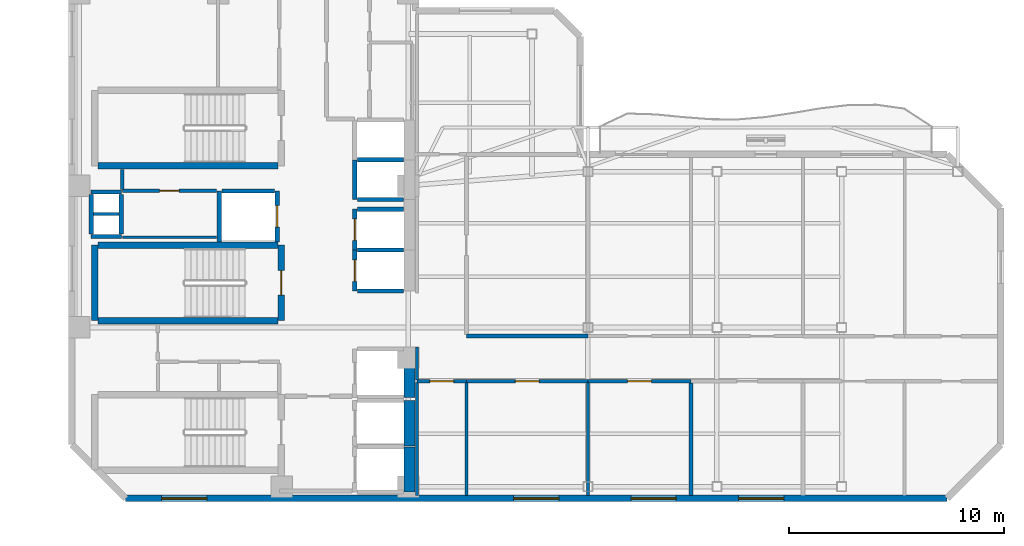
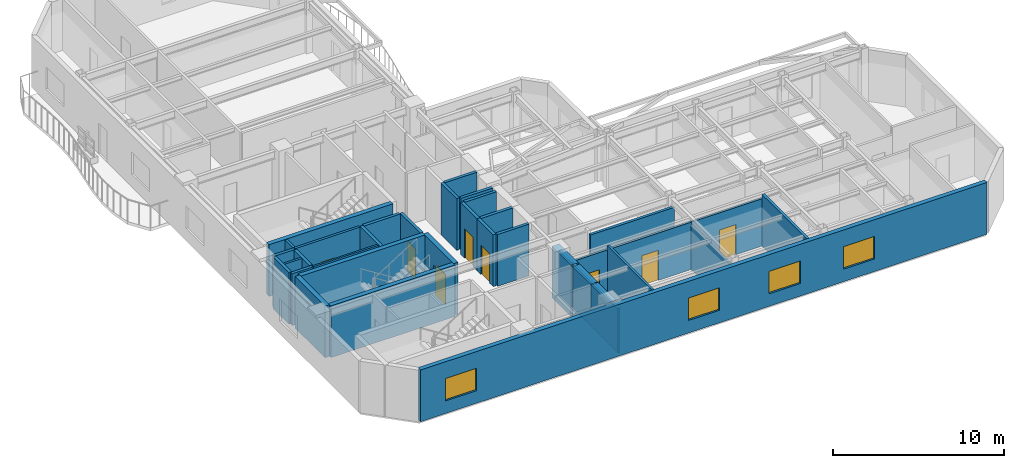
# One storey, part 3 of 9: 37 walls, 8 doors, 4 windows, 12 openings.
"""IFC4 building model written with IfcOpenShell, lengths in metres."""

from ifc_helpers import new_model, si_unit, direction, frame, frame_2d, origin, place, context, subcontext, project, spatial, rectangle, extrude, material, layer, layer_set, type_object, element, fill, save


model = new_model("IFC4")

# Units and contexts
model_context = context("Model", 3, precision=1e-05, world=origin(), true_north=direction((0.0, 1.0)))
body_context = subcontext(model_context, "Body", "Model", "MODEL_VIEW")
ifc_project = project(units=[si_unit("LENGTHUNIT", "METRE"), si_unit("AREAUNIT", "SQUARE_METRE"), si_unit("VOLUMEUNIT", "CUBIC_METRE"), si_unit("PLANEANGLEUNIT", "RADIAN"), si_unit("MASSUNIT", "GRAM", prefix="KILO")], contexts=[model_context])

# Site, building, storey
site_placement = place(None, origin())
site = spatial("IfcSite", under=ifc_project, at=site_placement, CompositionType="ELEMENT")
building_placement = place(site_placement, origin())
building = spatial("IfcBuilding", under=site, at=building_placement, Name="Mawjaban Terraces University", CompositionType="ELEMENT")
storey_placement = place(building_placement, frame((0.0, 0.0, 210.89990234375)))
storey = spatial("IfcBuildingStorey", under=building, at=storey_placement, Name="L51", CompositionType="ELEMENT", Elevation=210.89990234375)

# Walls
ifc_material_1 = material(Name="Acoustic masonry blockwork", Category="masonry")
ifc_layer_1 = layer(ifc_material_1, 0.179931640625)
ifc_layer_set_1 = layer_set([ifc_layer_1], Name="Acoustic masonry blockwork")
wall_type_1 = type_object("IfcWallType", Name="AcousticStudioWall_180", PredefinedType="PARTITIONING", material=ifc_layer_set_1)
wall_1_placement = place(storey_placement, frame((46.0, 7.550048828125, 0.0), z_axis=(0.0, 0.0, 1.0), x_axis=(-1.0, 0.0, 0.0)))
element("IfcWall", 1, at=wall_1_placement, inside=storey, type_object=wall_type_1, Name="L51 South Shifted Academic Corridor Partition 22", PredefinedType="PARTITIONING", context=body_context, shape_type="SweptSolid", body=[
    extrude(rectangle(XDim=5.64990234375, YDim=0.179931640625, at=frame_2d((2.824951171875, 0.0))), origin(), (0.0, 0.0, 1.0), 3.14599609375),
])
wall_2_placement = place(storey_placement, frame((50.7900390625, 0.14501953125, 0.0), z_axis=(0.0, 0.0, 1.0), x_axis=(0.0, 1.0, 0.0)))
element("IfcWall", 2, at=wall_2_placement, inside=storey, type_object=wall_type_1, Name="L51 Computational Laboratory 4 Partition 53", PredefinedType="PARTITIONING", context=body_context, shape_type="SweptSolid", body=[
    extrude(rectangle(XDim=5.219970703125, YDim=0.179931640625, at=frame_2d((2.60986328125, 0.0))), origin(), (0.0, 0.0, 1.0), 3.690185546875),
])
ifc_material_2 = material(Name="Concrete C60/75", Category="concrete")
ifc_layer_2 = layer(ifc_material_2, 0.5)
ifc_layer_set_2 = layer_set([ifc_layer_2], Name="Concrete C60/75")
wall_type_2 = type_object("IfcWallType", Name="CoreShearWall_500", PredefinedType="SHEAR", material=ifc_layer_set_2)
wall_3_placement = place(storey_placement, frame((37.699951171875, 0.300048828125, 0.0), z_axis=(0.0, 0.0, 1.0), x_axis=(0.0, 1.0, 0.0)))
element("IfcWall", 3, at=wall_3_placement, inside=storey, type_object=wall_type_2, Name="L51 Lift FL-1 Hoistway Wall East", PredefinedType="SHEAR", context=body_context, shape_type="SweptSolid", body=[
    extrude(rectangle(XDim=2.099853515625, YDim=0.5, at=frame_2d((1.0498046875, 0.0))), origin(), (0.0, 0.0, 1.0), 3.690185546875),
])
wall_4_placement = place(storey_placement, frame((37.699951171875, 2.449951171875, 0.0), z_axis=(0.0, 0.0, 1.0), x_axis=(0.0, 1.0, 0.0)))
element("IfcWall", 4, at=wall_4_placement, inside=storey, type_object=wall_type_2, Name="L51 Lift FL-2 Hoistway Wall East", PredefinedType="SHEAR", context=body_context, shape_type="SweptSolid", body=[
    extrude(rectangle(XDim=2.10009765625, YDim=0.5, at=frame_2d((1.050048828125, 0.0))), origin(), (0.0, 0.0, 1.0), 3.690185546875),
])
wall_5_placement = place(storey_placement, frame((37.699951171875, 4.699951171875, 0.0), z_axis=(0.0, 0.0, 1.0), x_axis=(0.0, 1.0, 0.0)))
element("IfcWall", 5, at=wall_5_placement, inside=storey, type_object=wall_type_2, Name="L51 Lift SL-1 Hoistway Wall East", PredefinedType="SHEAR", context=body_context, shape_type="SweptSolid", body=[
    extrude(rectangle(XDim=2.25, YDim=0.5, at=frame_2d((1.125, 0.0))), origin(), (0.0, 0.0, 1.0), 3.690185546875),
])

# Wall, opening, door
ifc_material_3 = material(Name="Fire-rated gypsum board on steel stud", Category="steel")
ifc_layer_3 = layer(ifc_material_3, 0.159912109375)
ifc_layer_set_3 = layer_set([ifc_layer_3], Name="Fire-rated gypsum board on steel stud")
wall_type_3 = type_object("IfcWallType", Name="CorridorPartition_160", PredefinedType="PARTITIONING", material=ifc_layer_set_3)
wall_6_placement = place(storey_placement, frame((24.35009765625, 14.300048828125, 0.0), z_axis=(0.0, 0.0, 1.0), x_axis=(1.0, 0.0, 0.0)))
wall_6 = element("IfcWall", 6, at=wall_6_placement, inside=storey, type_object=wall_type_3, Name="L51 Core Riser Access Passage Partition 2", PredefinedType="PARTITIONING", context=body_context, shape_type="SweptSolid", body=[
    extrude(rectangle(XDim=4.369873046875, YDim=0.159912109375, at=frame_2d((2.18505859375, 0.0))), origin(), (0.0, 0.0, 1.0), 3.690185546875),
])
opening_1_placement = place(wall_6_placement, frame((1.735107421875, 0.0, 0.0)))
opening_1 = element("IfcOpeningElement", 7, at=opening_1_placement, cuts=wall_6, Name="Opening ID-090", PredefinedType="OPENING", context=body_context, shape_type="SweptSolid", body=[
    extrude(rectangle(XDim=0.89990234375, YDim=2.10009765625, at=frame_2d((0.449951171875, 1.050048828125))), frame((0.0, 0.08984375, 0.0), z_axis=(0.0, -1.0, 0.0), x_axis=(1.0, 0.0, 0.0)), (0.0, 0.0, 1.0), 0.179931640625),
])
ifc_material_4 = material(Name="Powder-coated steel frame and solid acoustic timber leaf", Category="steel")
door_type_1 = type_object("IfcDoorType", Name="OfficeDoor_900x2100", OperationType="NOTDEFINED", PredefinedType="DOOR", material=ifc_material_4)
door_1_placement = place(opening_1_placement, origin())
door_1 = element("IfcDoor", 8, at=door_1_placement, inside=storey, type_object=door_type_1, Name="L51 Cleaner Store Door", OperationType="SINGLE_SWING_LEFT", OverallHeight=2.10009765625, OverallWidth=0.89990234375, PredefinedType="DOOR", context=body_context, shape_type="SweptSolid", body=[
    extrude(rectangle(XDim=0.89990234375, YDim=2.10009765625, at=frame_2d((0.449951171875, 1.050048828125))), frame((0.0, 0.02490234375, 0.0), z_axis=(0.0, -1.0, 0.0), x_axis=(1.0, 0.0, 0.0)), (0.0, 0.0, 1.0), 0.050048828125),
])
fill(opening_1, door_1)

# Walls
wall_7_placement = place(storey_placement, frame((24.35009765625, 15.2900390625, 0.0), z_axis=(0.0, 0.0, 1.0), x_axis=(0.0, -1.0, 0.0)))
element("IfcWall", 9, at=wall_7_placement, inside=storey, type_object=wall_type_3, Name="L51 Core Riser Access Passage Partition 30", PredefinedType="PARTITIONING", context=body_context, shape_type="SweptSolid", body=[
    extrude(rectangle(XDim=0.9150390625, YDim=0.159912109375, at=frame_2d((0.45751953125, 0.0))), origin(), (0.0, 0.0, 1.0), 3.690185546875),
])
wall_8_placement = place(storey_placement, frame((38.050048828125, 7.050048828125, 0.0), z_axis=(0.0, 0.0, 1.0), x_axis=(0.0, -1.0, 0.0)))
element("IfcWall", 10, at=wall_8_placement, inside=storey, type_object=wall_type_3, Name="L51 South Spine Spur Link Partition 46", PredefinedType="PARTITIONING", context=body_context, shape_type="SweptSolid", body=[
    extrude(rectangle(XDim=1.531982421875, YDim=0.159912109375, at=frame_2d((0.76611328125, 0.0))), origin(), (0.0, 0.0, 1.0), 3.14599609375),
])

# Wall, openings, windows
ifc_material_5 = material(Name="Insulated terracotta rainscreen on concrete backup C40/50", Category="masonry")
ifc_layer_4 = layer(ifc_material_5, 0.300048828125)
ifc_layer_set_4 = layer_set([ifc_layer_4], Name="Insulated terracotta rainscreen on concrete backup C40/50")
wall_type_4 = type_object("IfcWallType", Name="ExtTerracottaWall_300", PredefinedType="SOLIDWALL", material=ifc_layer_set_4)
wall_9_placement = place(storey_placement, frame((24.5, 0.0, 0.0), z_axis=(0.0, 0.0, 1.0), x_axis=(1.0, 0.0, 0.0)))
wall_9 = element("IfcWall", 11, at=wall_9_placement, inside=storey, type_object=wall_type_4, Name="L51 Exterior Terracotta Wall 1", PredefinedType="SOLIDWALL", context=body_context, shape_type="SweptSolid", body=[
    extrude(rectangle(XDim=38.199951171875, YDim=0.300048828125, at=frame_2d((19.10009765625, 0.0))), origin(), (0.0, 0.0, 1.0), 3.690185546875),
])
opening_2_placement = place(wall_9_placement, frame((1.678955078125, 0.0, 0.89990234375)))
opening_2 = element("IfcOpeningElement", 12, at=opening_2_placement, cuts=wall_9, Name="Opening W-04", PredefinedType="OPENING", context=body_context, shape_type="SweptSolid", body=[
    extrude(rectangle(XDim=2.10009765625, YDim=1.60009765625, at=frame_2d((1.050048828125, 0.800048828125))), frame((0.0, 0.159912109375, 0.0), z_axis=(0.0, -1.0, 0.0), x_axis=(1.0, 0.0, 0.0)), (0.0, 0.0, 1.0), 0.320068359375),
])
opening_3_placement = place(wall_9_placement, frame((18.050048828125, 0.0, 0.89990234375)))
opening_3 = element("IfcOpeningElement", 13, at=opening_3_placement, cuts=wall_9, Name="Opening W-04", PredefinedType="OPENING", context=body_context, shape_type="SweptSolid", body=[
    extrude(rectangle(XDim=2.10009765625, YDim=1.60009765625, at=frame_2d((1.050048828125, 0.800048828125))), frame((0.0, 0.159912109375, 0.0), z_axis=(0.0, -1.0, 0.0), x_axis=(1.0, 0.0, 0.0)), (0.0, 0.0, 1.0), 0.320068359375),
])
opening_4_placement = place(wall_9_placement, frame((23.507080078125, 0.0, 0.89990234375)))
opening_4 = element("IfcOpeningElement", 14, at=opening_4_placement, cuts=wall_9, Name="Opening W-04", PredefinedType="OPENING", context=body_context, shape_type="SweptSolid", body=[
    extrude(rectangle(XDim=2.10009765625, YDim=1.60009765625, at=frame_2d((1.050048828125, 0.800048828125))), frame((0.0, 0.159912109375, 0.0), z_axis=(0.0, -1.0, 0.0), x_axis=(1.0, 0.0, 0.0)), (0.0, 0.0, 1.0), 0.320068359375),
])
opening_5_placement = place(wall_9_placement, frame((28.513916015625, 0.0, 0.89990234375)))
opening_5 = element("IfcOpeningElement", 15, at=opening_5_placement, cuts=wall_9, Name="Opening W-04", PredefinedType="OPENING", context=body_context, shape_type="SweptSolid", body=[
    extrude(rectangle(XDim=2.10009765625, YDim=1.60009765625, at=frame_2d((1.050048828125, 0.800048828125))), frame((0.0, 0.159912109375, 0.0), z_axis=(0.0, -1.0, 0.0), x_axis=(1.0, 0.0, 0.0)), (0.0, 0.0, 1.0), 0.320068359375),
])
ifc_material_6 = material(Name="Low-E solar-control double glazing in thermally broken aluminium frame", Category="aluminium")
window_type = type_object("IfcWindowType", Name="Win_2100x1600", PartitioningType="SINGLE_PANEL", PredefinedType="WINDOW", material=ifc_material_6)
window_1_placement = place(opening_2_placement, origin())
window_1 = element("IfcWindow", 16, at=window_1_placement, inside=storey, type_object=window_type, Name="L51 Facade Window 1.1", OverallHeight=1.60009765625, OverallWidth=2.10009765625, PartitioningType="SINGLE_PANEL", PredefinedType="WINDOW", context=body_context, shape_type="SweptSolid", body=[
    extrude(rectangle(XDim=2.10009765625, YDim=1.60009765625, at=frame_2d((1.050048828125, 0.800048828125))), frame((0.0, 0.030029296875, 0.0), z_axis=(0.0, -1.0, 0.0), x_axis=(1.0, 0.0, 0.0)), (0.0, 0.0, 1.0), 0.06005859375),
])
fill(opening_2, window_1)
window_2_placement = place(opening_3_placement, origin())
window_2 = element("IfcWindow", 17, at=window_2_placement, inside=storey, type_object=window_type, Name="L51 Facade Window 1.4", OverallHeight=1.60009765625, OverallWidth=2.10009765625, PartitioningType="SINGLE_PANEL", PredefinedType="WINDOW", context=body_context, shape_type="SweptSolid", body=[
    extrude(rectangle(XDim=2.10009765625, YDim=1.60009765625, at=frame_2d((1.050048828125, 0.800048828125))), frame((0.0, 0.030029296875, 0.0), z_axis=(0.0, -1.0, 0.0), x_axis=(1.0, 0.0, 0.0)), (0.0, 0.0, 1.0), 0.06005859375),
])
fill(opening_3, window_2)
window_3_placement = place(opening_4_placement, origin())
window_3 = element("IfcWindow", 18, at=window_3_placement, inside=storey, type_object=window_type, Name="L51 Facade Window 1.5", OverallHeight=1.60009765625, OverallWidth=2.10009765625, PartitioningType="SINGLE_PANEL", PredefinedType="WINDOW", context=body_context, shape_type="SweptSolid", body=[
    extrude(rectangle(XDim=2.10009765625, YDim=1.60009765625, at=frame_2d((1.050048828125, 0.800048828125))), frame((0.0, 0.030029296875, 0.0), z_axis=(0.0, -1.0, 0.0), x_axis=(1.0, 0.0, 0.0)), (0.0, 0.0, 1.0), 0.06005859375),
])
fill(opening_4, window_3)
window_4_placement = place(opening_5_placement, origin())
window_4 = element("IfcWindow", 19, at=window_4_placement, inside=storey, type_object=window_type, Name="L51 Facade Window 1.6", OverallHeight=1.60009765625, OverallWidth=2.10009765625, PartitioningType="SINGLE_PANEL", PredefinedType="WINDOW", context=body_context, shape_type="SweptSolid", body=[
    extrude(rectangle(XDim=2.10009765625, YDim=1.60009765625, at=frame_2d((1.050048828125, 0.800048828125))), frame((0.0, 0.030029296875, 0.0), z_axis=(0.0, -1.0, 0.0), x_axis=(1.0, 0.0, 0.0)), (0.0, 0.0, 1.0), 0.06005859375),
])
fill(opening_5, window_4)

# Wall, opening, door
ifc_material_7 = material(Name="Concrete C40/50", Category="concrete")
ifc_layer_5 = layer(ifc_material_7, 0.199951171875)
ifc_layer_set_5 = layer_set([ifc_layer_5], Name="Concrete C40/50")
wall_type_5 = type_object("IfcWallType", Name="FireLobbyWall_200", PredefinedType="SOLIDWALL", material=ifc_layer_set_5)
wall_10_placement = place(storey_placement, frame((35.14990234375, 11.550048828125, 0.0), z_axis=(0.0, 0.0, 1.0), x_axis=(0.0, -1.0, 0.0)))
wall_10 = element("IfcWall", 20, at=wall_10_placement, inside=storey, type_object=wall_type_5, Name="L51 Lift PL-H1 Hoistway Wall West", PredefinedType="SOLIDWALL", context=body_context, shape_type="SweptSolid", body=[
    extrude(rectangle(XDim=1.900146484375, YDim=0.199951171875, at=frame_2d((0.9501953125, 0.0))), origin(), (0.0, 0.0, 1.0), 3.690185546875),
])
opening_6_placement = place(wall_10_placement, frame((0.449951171875, 0.0, 0.0)))
opening_6 = element("IfcOpeningElement", 21, at=opening_6_placement, cuts=wall_10, Name="Opening LD-PL-H1", PredefinedType="OPENING", context=body_context, shape_type="SweptSolid", body=[
    extrude(rectangle(XDim=1.0, YDim=2.10009765625, at=frame_2d((0.5, 1.050048828125))), frame((0.0, 0.10986328125, 0.0), z_axis=(0.0, -1.0, 0.0), x_axis=(1.0, 0.0, 0.0)), (0.0, 0.0, 1.0), 0.219970703125),
])
ifc_material_8 = material(Name="Powder-coated steel frame and fire-rated steel-faced leaf", Category="steel")
door_type_2 = type_object("IfcDoorType", Name="LiftLandingSliding_1000x2100", OperationType="NOTDEFINED", PredefinedType="DOOR", material=ifc_material_8)
door_2_placement = place(opening_6_placement, origin())
door_2 = element("IfcDoor", 22, at=door_2_placement, inside=storey, type_object=door_type_2, Name="L51 Lift PL-H1 Sliding Landing Door", OperationType="DOUBLE_DOOR_SLIDING", OverallHeight=2.10009765625, OverallWidth=1.0, PredefinedType="DOOR", context=body_context, shape_type="SweptSolid", body=[
    extrude(rectangle(XDim=1.0, YDim=2.10009765625, at=frame_2d((0.5, 1.050048828125))), frame((0.0, 0.02490234375, 0.0), z_axis=(0.0, -1.0, 0.0), x_axis=(1.0, 0.0, 0.0)), (0.0, 0.0, 1.0), 0.050048828125),
])
fill(opening_6, door_2)

# Walls
for number, where, z_axis, x_axis, name in (
    (23, (35.280029296875, 9.64990234375, 0.0), (0.0, 0.0, 1.0), (1.0, 0.0, 0.0), "L51 Lift PL-H1 Hoistway Wall South"),
    (24, (37.419921875, 11.550048828125, 0.0), (0.0, 0.0, 1.0), (-1.0, 0.0, 0.0), "L51 Lift PL-H1 Hoistway Wall North"),
):
    element("IfcWall", number, at=place(storey_placement, frame(where, z_axis=z_axis, x_axis=x_axis)), inside=storey, type_object=wall_type_5, Name=name, PredefinedType="SOLIDWALL", context=body_context, shape_type="SweptSolid", body=[
        extrude(rectangle(XDim=2.139892578125, YDim=0.199951171875, at=frame_2d((1.06982421875, 0.0))), origin(), (0.0, 0.0, 1.0), 3.690185546875),
    ])

# Wall, opening, door
wall_11_placement = place(storey_placement, frame((35.14990234375, 13.449951171875, 0.0), z_axis=(0.0, 0.0, 1.0), x_axis=(0.0, -1.0, 0.0)))
wall_11 = element("IfcWall", 25, at=wall_11_placement, inside=storey, type_object=wall_type_5, Name="L51 Lift PL-H2 Hoistway Wall West", PredefinedType="SOLIDWALL", context=body_context, shape_type="SweptSolid", body=[
    extrude(rectangle(XDim=1.89990234375, YDim=0.199951171875, at=frame_2d((0.949951171875, 0.0))), origin(), (0.0, 0.0, 1.0), 3.690185546875),
])
opening_7_placement = place(wall_11_placement, frame((0.449951171875, 0.0, 0.0)))
opening_7 = element("IfcOpeningElement", 26, at=opening_7_placement, cuts=wall_11, Name="Opening LD-PL-H2", PredefinedType="OPENING", context=body_context, shape_type="SweptSolid", body=[
    extrude(rectangle(XDim=1.0, YDim=2.10009765625, at=frame_2d((0.5, 1.050048828125))), frame((0.0, 0.10986328125, 0.0), z_axis=(0.0, -1.0, 0.0), x_axis=(1.0, 0.0, 0.0)), (0.0, 0.0, 1.0), 0.219970703125),
])
door_3_placement = place(opening_7_placement, origin())
door_3 = element("IfcDoor", 27, at=door_3_placement, inside=storey, type_object=door_type_2, Name="L51 Lift PL-H2 Sliding Landing Door", OperationType="DOUBLE_DOOR_SLIDING", OverallHeight=2.10009765625, OverallWidth=1.0, PredefinedType="DOOR", context=body_context, shape_type="SweptSolid", body=[
    extrude(rectangle(XDim=1.0, YDim=2.10009765625, at=frame_2d((0.5, 1.050048828125))), frame((0.0, 0.02490234375, 0.0), z_axis=(0.0, -1.0, 0.0), x_axis=(1.0, 0.0, 0.0)), (0.0, 0.0, 1.0), 0.050048828125),
])
fill(opening_7, door_3)

# Walls
wall_12_placement = place(storey_placement, frame((37.419921875, 13.449951171875, 0.0), z_axis=(0.0, 0.0, 1.0), x_axis=(-1.0, 0.0, 0.0)))
element("IfcWall", 28, at=wall_12_placement, inside=storey, type_object=wall_type_5, Name="L51 Lift PL-H2 Hoistway Wall North", PredefinedType="SOLIDWALL", context=body_context, shape_type="SweptSolid", body=[
    extrude(rectangle(XDim=2.139892578125, YDim=0.199951171875, at=frame_2d((1.06982421875, 0.0))), origin(), (0.0, 0.0, 1.0), 3.690185546875),
])
wall_13_placement = place(storey_placement, frame((28.85009765625, 14.300048828125, 0.0), z_axis=(0.0, 0.0, 1.0), x_axis=(0.0, -1.0, 0.0)))
element("IfcWall", 29, at=wall_13_placement, inside=storey, type_object=wall_type_5, Name="L51 Lift PL-H3 Hoistway Wall West", PredefinedType="SOLIDWALL", context=body_context, shape_type="SweptSolid", body=[
    extrude(rectangle(XDim=2.3701171875, YDim=0.199951171875, at=frame_2d((1.18505859375, 0.0))), origin(), (0.0, 0.0, 1.0), 3.690185546875),
])

# Wall, opening, door
wall_14_placement = place(storey_placement, frame((31.550048828125, 11.929931640625, 0.0), z_axis=(0.0, 0.0, 1.0), x_axis=(0.0, 1.0, 0.0)))
wall_14 = element("IfcWall", 30, at=wall_14_placement, inside=storey, type_object=wall_type_5, Name="L51 Lift PL-H3 Hoistway Wall East", PredefinedType="SOLIDWALL", context=body_context, shape_type="SweptSolid", body=[
    extrude(rectangle(XDim=2.3701171875, YDim=0.199951171875, at=frame_2d((1.18505859375, 0.0))), origin(), (0.0, 0.0, 1.0), 3.690185546875),
])
opening_8_placement = place(wall_14_placement, frame((0.68505859375, 0.0, 0.0)))
opening_8 = element("IfcOpeningElement", 31, at=opening_8_placement, cuts=wall_14, Name="Opening LD-PL-H3", PredefinedType="OPENING", context=body_context, shape_type="SweptSolid", body=[
    extrude(rectangle(XDim=1.0, YDim=2.10009765625, at=frame_2d((0.5, 1.050048828125))), frame((0.0, 0.10986328125, 0.0), z_axis=(0.0, -1.0, 0.0), x_axis=(1.0, 0.0, 0.0)), (0.0, 0.0, 1.0), 0.219970703125),
])
door_4_placement = place(opening_8_placement, origin())
door_4 = element("IfcDoor", 32, at=door_4_placement, inside=storey, type_object=door_type_2, Name="L51 Lift PL-H3 Sliding Landing Door", OperationType="DOUBLE_DOOR_SLIDING", OverallHeight=2.10009765625, OverallWidth=1.0, PredefinedType="DOOR", context=body_context, shape_type="SweptSolid", body=[
    extrude(rectangle(XDim=1.0, YDim=2.10009765625, at=frame_2d((0.5, 1.050048828125))), frame((0.0, 0.02490234375, 0.0), z_axis=(0.0, -1.0, 0.0), x_axis=(1.0, 0.0, 0.0)), (0.0, 0.0, 1.0), 0.050048828125),
])
fill(opening_8, door_4)

# Walls
wall_15_placement = place(storey_placement, frame((31.419921875, 14.300048828125, 0.0), z_axis=(0.0, 0.0, 1.0), x_axis=(-1.0, 0.0, 0.0)))
element("IfcWall", 33, at=wall_15_placement, inside=storey, type_object=wall_type_5, Name="L51 Lift PL-H3 Hoistway Wall North", PredefinedType="SOLIDWALL", context=body_context, shape_type="SweptSolid", body=[
    extrude(rectangle(XDim=2.43994140625, YDim=0.199951171875, at=frame_2d((1.219970703125, 0.0))), origin(), (0.0, 0.0, 1.0), 3.690185546875),
])
wall_16_placement = place(storey_placement, frame((35.14990234375, 15.75, 0.0), z_axis=(0.0, 0.0, 1.0), x_axis=(0.0, -1.0, 0.0)))
element("IfcWall", 34, at=wall_16_placement, inside=storey, type_object=wall_type_5, Name="L51 Lift OL-1 Hoistway Wall West", PredefinedType="SOLIDWALL", context=body_context, shape_type="SweptSolid", body=[
    extrude(rectangle(XDim=1.85009765625, YDim=0.199951171875, at=frame_2d((0.925048828125, 0.0))), origin(), (0.0, 0.0, 1.0), 3.690185546875),
])
for number, where, z_axis, x_axis, name in (
    (35, (35.280029296875, 13.89990234375, 0.0), (0.0, 0.0, 1.0), (1.0, 0.0, 0.0), "L51 Lift OL-1 Hoistway Wall South"),
    (36, (37.419921875, 15.75, 0.0), (0.0, 0.0, 1.0), (-1.0, 0.0, 0.0), "L51 Lift OL-1 Hoistway Wall North"),
):
    element("IfcWall", number, at=place(storey_placement, frame(where, z_axis=z_axis, x_axis=x_axis)), inside=storey, type_object=wall_type_5, Name=name, PredefinedType="SOLIDWALL", context=body_context, shape_type="SweptSolid", body=[
        extrude(rectangle(XDim=2.139892578125, YDim=0.199951171875, at=frame_2d((1.06982421875, 0.0))), origin(), (0.0, 0.0, 1.0), 3.690185546875),
    ])
for number, where, z_axis, x_axis, name in (
    (37, (22.89990234375, 14.25, 0.0), (0.0, 0.0, 1.0), (1.0, 0.0, 0.0), "L51 MEP Riser Shaft Wall N"),
    (38, (22.89990234375, 12.179931640625, 0.0), (0.0, 0.0, 1.0), (1.0, 0.0, 0.0), "L51 MEP Riser Shaft Wall S"),
):
    element("IfcWall", number, at=place(storey_placement, frame(where, z_axis=z_axis, x_axis=x_axis)), inside=storey, type_object=wall_type_5, Name=name, PredefinedType="SOLIDWALL", context=body_context, shape_type="SweptSolid", body=[
        extrude(rectangle(XDim=1.400146484375, YDim=0.199951171875, at=frame_2d((0.7001953125, 0.0))), origin(), (0.0, 0.0, 1.0), 3.690185546875),
    ])
for number, where, z_axis, x_axis, name in (
    (39, (24.300048828125, 12.300048828125, 0.0), (0.0, 0.0, 1.0), (0.0, 1.0, 0.0), "L51 MEP Riser Shaft Wall E"),
    (40, (22.89990234375, 12.300048828125, 0.0), (0.0, 0.0, 1.0), (0.0, 1.0, 0.0), "L51 MEP Riser Shaft Wall W"),
):
    element("IfcWall", number, at=place(storey_placement, frame(where, z_axis=z_axis, x_axis=x_axis)), inside=storey, type_object=wall_type_5, Name=name, PredefinedType="SOLIDWALL", context=body_context, shape_type="SweptSolid", body=[
        extrude(rectangle(XDim=1.829833984375, YDim=0.199951171875, at=frame_2d((0.9150390625, 0.0))), origin(), (0.0, 0.0, 1.0), 3.690185546875),
    ])
ifc_material_9 = material(Name="Moisture-resistant gypsum board on steel stud", Category="steel")
ifc_layer_6 = layer(ifc_material_9, 0.14501953125)
ifc_layer_set_6 = layer_set([ifc_layer_6], Name="Moisture-resistant gypsum board on steel stud")
wall_type_6 = type_object("IfcWallType", Name="LabPartition_145", PredefinedType="PARTITIONING", material=ifc_layer_set_6)
wall_17_placement = place(storey_placement, frame((23.010009765625, 13.22509765625, 0.0), z_axis=(0.0, 0.0, 1.0), x_axis=(1.0, 0.0, 0.0)))
element("IfcWall", 41, at=wall_17_placement, inside=storey, type_object=wall_type_6, Name="L51 MEP Riser Shaft Wall M", PredefinedType="PARTITIONING", context=body_context, shape_type="SweptSolid", body=[
    extrude(rectangle(XDim=1.179931640625, YDim=0.14501953125, at=frame_2d((0.58984375, 0.0))), origin(), (0.0, 0.0, 1.0), 3.690185546875),
])

# Wall, opening, door
wall_18_placement = place(storey_placement, frame((38.050048828125, 5.449951171875, 0.0), z_axis=(0.0, 0.0, 1.0), x_axis=(1.0, 0.0, 0.0)))
wall_18 = element("IfcWall", 42, at=wall_18_placement, inside=storey, type_object=wall_type_6, Name="L51 South Spine Spur Link Partition 17", PredefinedType="PARTITIONING", context=body_context, shape_type="SweptSolid", body=[
    extrude(rectangle(XDim=2.300048828125, YDim=0.14501953125, at=frame_2d((1.14990234375, 0.0))), origin(), (0.0, 0.0, 1.0), 3.3720703125),
])
opening_9_placement = place(wall_18_placement, frame((0.60009765625, 0.0, 0.0)))
opening_9 = element("IfcOpeningElement", 43, at=opening_9_placement, cuts=wall_18, Name="Opening ID-110", PredefinedType="OPENING", context=body_context, shape_type="SweptSolid", body=[
    extrude(rectangle(XDim=1.10009765625, YDim=2.14990234375, at=frame_2d((0.550048828125, 1.074951171875))), frame((0.0, 0.08251953125, 0.0), z_axis=(0.0, -1.0, 0.0), x_axis=(1.0, 0.0, 0.0)), (0.0, 0.0, 1.0), 0.1650390625),
])
door_type_3 = type_object("IfcDoorType", Name="LabDoor_1100x2150", OperationType="NOTDEFINED", PredefinedType="DOOR", material=ifc_material_4)
door_5_placement = place(opening_9_placement, origin())
door_5 = element("IfcDoor", 44, at=door_5_placement, inside=storey, type_object=door_type_3, Name="L51 Computational Laboratory 1 Door", OperationType="SINGLE_SWING_LEFT", OverallHeight=2.14990234375, OverallWidth=1.10009765625, PredefinedType="DOOR", context=body_context, shape_type="SweptSolid", body=[
    extrude(rectangle(XDim=1.10009765625, YDim=2.14990234375, at=frame_2d((0.550048828125, 1.074951171875))), frame((0.0, 0.02490234375, 0.0), z_axis=(0.0, -1.0, 0.0), x_axis=(1.0, 0.0, 0.0)), (0.0, 0.0, 1.0), 0.050048828125),
])
fill(opening_9, door_5)

wall_19_placement = place(storey_placement, frame((40.35009765625, 5.449951171875, 0.0), z_axis=(0.0, 0.0, 1.0), x_axis=(1.0, 0.0, 0.0)))
wall_19 = element("IfcWall", 45, at=wall_19_placement, inside=storey, type_object=wall_type_6, Name="L51 South Shifted Academic Corridor Partition 18", PredefinedType="PARTITIONING", context=body_context, shape_type="SweptSolid", body=[
    extrude(rectangle(XDim=5.64990234375, YDim=0.14501953125, at=frame_2d((2.824951171875, 0.0))), origin(), (0.0, 0.0, 1.0), 3.3720703125),
])
opening_10_placement = place(wall_19_placement, frame((2.27490234375, 0.0, 0.0)))
opening_10 = element("IfcOpeningElement", 46, at=opening_10_placement, cuts=wall_19, Name="Opening ID-110", PredefinedType="OPENING", context=body_context, shape_type="SweptSolid", body=[
    extrude(rectangle(XDim=1.10009765625, YDim=2.14990234375, at=frame_2d((0.550048828125, 1.074951171875))), frame((0.0, 0.08251953125, 0.0), z_axis=(0.0, -1.0, 0.0), x_axis=(1.0, 0.0, 0.0)), (0.0, 0.0, 1.0), 0.1650390625),
])
door_6_placement = place(opening_10_placement, origin())
door_6 = element("IfcDoor", 47, at=door_6_placement, inside=storey, type_object=door_type_3, Name="L51 Teaching Laboratory 2 Door", OperationType="SINGLE_SWING_RIGHT", OverallHeight=2.14990234375, OverallWidth=1.10009765625, PredefinedType="DOOR", context=body_context, shape_type="SweptSolid", body=[
    extrude(rectangle(XDim=1.10009765625, YDim=2.14990234375, at=frame_2d((0.550048828125, 1.074951171875))), frame((0.0, 0.02490234375, 0.0), z_axis=(0.0, -1.0, 0.0), x_axis=(1.0, 0.0, 0.0)), (0.0, 0.0, 1.0), 0.050048828125),
])
fill(opening_10, door_6)

wall_20_placement = place(storey_placement, frame((46.0, 5.449951171875, 0.0), z_axis=(0.0, 0.0, 1.0), x_axis=(1.0, 0.0, 0.0)))
wall_20 = element("IfcWall", 48, at=wall_20_placement, inside=storey, type_object=wall_type_6, Name="L51 South Shifted Academic Corridor Partition 21", PredefinedType="PARTITIONING", context=body_context, shape_type="SweptSolid", body=[
    extrude(rectangle(XDim=4.7900390625, YDim=0.14501953125, at=frame_2d((2.39501953125, 0.0))), origin(), (0.0, 0.0, 1.0), 3.3720703125),
])
opening_11_placement = place(wall_20_placement, frame((1.844970703125, 0.0, 0.0)))
opening_11 = element("IfcOpeningElement", 49, at=opening_11_placement, cuts=wall_20, Name="Opening ID-110", PredefinedType="OPENING", context=body_context, shape_type="SweptSolid", body=[
    extrude(rectangle(XDim=1.10009765625, YDim=2.14990234375, at=frame_2d((0.550048828125, 1.074951171875))), frame((0.0, 0.08251953125, 0.0), z_axis=(0.0, -1.0, 0.0), x_axis=(1.0, 0.0, 0.0)), (0.0, 0.0, 1.0), 0.1650390625),
])
door_7_placement = place(opening_11_placement, origin())
door_7 = element("IfcDoor", 50, at=door_7_placement, inside=storey, type_object=door_type_3, Name="L51 Computational Laboratory 4 Door", OperationType="SINGLE_SWING_RIGHT", OverallHeight=2.14990234375, OverallWidth=1.10009765625, PredefinedType="DOOR", context=body_context, shape_type="SweptSolid", body=[
    extrude(rectangle(XDim=1.10009765625, YDim=2.14990234375, at=frame_2d((0.550048828125, 1.074951171875))), frame((0.0, 0.02490234375, 0.0), z_axis=(0.0, -1.0, 0.0), x_axis=(1.0, 0.0, 0.0)), (0.0, 0.0, 1.0), 0.050048828125),
])
fill(opening_11, door_7)

# Walls
wall_21_placement = place(storey_placement, frame((38.050048828125, 5.383056640625, 0.0), z_axis=(0.0, 0.0, 1.0), x_axis=(0.0, -1.0, 0.0)))
element("IfcWall", 51, at=wall_21_placement, inside=storey, type_object=wall_type_6, Name="L51 Computational Laboratory 1 Partition 45", PredefinedType="PARTITIONING", context=body_context, shape_type="SweptSolid", body=[
    extrude(rectangle(XDim=5.238037109375, YDim=0.14501953125, at=frame_2d((2.619140625, 0.0))), origin(), (0.0, 0.0, 1.0), 3.14599609375),
])
wall_22_placement = place(storey_placement, frame((40.35009765625, 0.14501953125, 0.0), z_axis=(0.0, 0.0, 1.0), x_axis=(0.0, 1.0, 0.0)))
element("IfcWall", 52, at=wall_22_placement, inside=storey, type_object=wall_type_6, Name="L51 Computational Laboratory 1 Partition 49", PredefinedType="PARTITIONING", context=body_context, shape_type="SweptSolid", body=[
    extrude(rectangle(XDim=5.238037109375, YDim=0.14501953125, at=frame_2d((2.619140625, 0.0))), origin(), (0.0, 0.0, 1.0), 3.690185546875),
])
wall_23_placement = place(storey_placement, frame((46.0, 0.14501953125, 0.0), z_axis=(0.0, 0.0, 1.0), x_axis=(0.0, 1.0, 0.0)))
element("IfcWall", 53, at=wall_23_placement, inside=storey, type_object=wall_type_6, Name="L51 Teaching Laboratory 2 Partition 51", PredefinedType="PARTITIONING", context=body_context, shape_type="SweptSolid", body=[
    extrude(rectangle(XDim=5.238037109375, YDim=0.14501953125, at=frame_2d((2.619140625, 0.0))), origin(), (0.0, 0.0, 1.0), 3.14599609375),
])
ifc_material_10 = material(Name="Gypsum plasterboard on steel stud", Category="steel")
ifc_layer_7 = layer(ifc_material_10, 0.125)
ifc_layer_set_7 = layer_set([ifc_layer_7], Name="Gypsum plasterboard on steel stud")
wall_type_7 = type_object("IfcWallType", Name="OfficePartition_125", PredefinedType="PARTITIONING", material=ifc_layer_set_7)
wall_24_placement = place(storey_placement, frame((24.35009765625, 12.14990234375, 0.0), z_axis=(0.0, 0.0, 1.0), x_axis=(1.0, 0.0, 0.0)))
element("IfcWall", 54, at=wall_24_placement, inside=storey, type_object=wall_type_7, Name="L51 Cleaner Store Partition 1", PredefinedType="PARTITIONING", context=body_context, shape_type="SweptSolid", body=[
    extrude(rectangle(XDim=4.369873046875, YDim=0.125, at=frame_2d((2.18505859375, 0.0))), origin(), (0.0, 0.0, 1.0), 3.690185546875),
])
ifc_layer_8 = layer(ifc_material_2, 0.300048828125)
ifc_layer_set_8 = layer_set([ifc_layer_8], Name="Concrete C60/75")
wall_type_8 = type_object("IfcWallType", Name="StairShaftWall_300", PredefinedType="SHEAR", material=ifc_layer_set_8)
for number, where, z_axis, x_axis, name in (
    (55, (23.219970703125, 15.469970703125, 0.0), (0.0, 0.0, 1.0), (1.0, 0.0, 0.0), "L51 ST-2 Stair Shaft Wall 3"),
    (56, (31.580078125, 11.780029296875, 0.0), (0.0, 0.0, 1.0), (-1.0, 0.0, 0.0), "L51 ST-3 Stair Shaft Wall 1"),
):
    element("IfcWall", number, at=place(storey_placement, frame(where, z_axis=z_axis, x_axis=x_axis)), inside=storey, type_object=wall_type_8, Name=name, PredefinedType="SHEAR", context=body_context, shape_type="SweptSolid", body=[
        extrude(rectangle(XDim=8.360107421875, YDim=0.300048828125, at=frame_2d((4.18017578125, 0.0))), origin(), (0.0, 0.0, 1.0), 3.690185546875),
    ])
wall_25_placement = place(storey_placement, frame((23.070068359375, 11.780029296875, 0.0), z_axis=(0.0, 0.0, 1.0), x_axis=(0.0, -1.0, 0.0)))
element("IfcWall", 57, at=wall_25_placement, inside=storey, type_object=wall_type_8, Name="L51 ST-3 Stair Shaft Wall 2", PredefinedType="SHEAR", context=body_context, shape_type="SweptSolid", body=[
    extrude(rectangle(XDim=3.510009765625, YDim=0.300048828125, at=frame_2d((1.7548828125, 0.0))), origin(), (0.0, 0.0, 1.0), 3.690185546875),
])
wall_26_placement = place(storey_placement, frame((23.219970703125, 8.27001953125, 0.0), z_axis=(0.0, 0.0, 1.0), x_axis=(1.0, 0.0, 0.0)))
element("IfcWall", 58, at=wall_26_placement, inside=storey, type_object=wall_type_8, Name="L51 ST-3 Stair Shaft Wall 3", PredefinedType="SHEAR", context=body_context, shape_type="SweptSolid", body=[
    extrude(rectangle(XDim=8.360107421875, YDim=0.300048828125, at=frame_2d((4.18017578125, 0.0))), origin(), (0.0, 0.0, 1.0), 3.690185546875),
])

# Wall, opening, door
wall_27_placement = place(storey_placement, frame((31.72998046875, 8.27001953125, 0.0), z_axis=(0.0, 0.0, 1.0), x_axis=(0.0, 1.0, 0.0)))
wall_27 = element("IfcWall", 59, at=wall_27_placement, inside=storey, type_object=wall_type_8, Name="L51 ST-3 Stair Shaft Wall 4", PredefinedType="SHEAR", context=body_context, shape_type="SweptSolid", body=[
    extrude(rectangle(XDim=3.510009765625, YDim=0.300048828125, at=frame_2d((1.7548828125, 0.0))), origin(), (0.0, 0.0, 1.0), 3.690185546875),
])
opening_12_placement = place(wall_27_placement, frame((1.179931640625, 0.0, 0.0)))
opening_12 = element("IfcOpeningElement", 60, at=opening_12_placement, cuts=wall_27, Name="Opening FD-115", PredefinedType="OPENING", context=body_context, shape_type="SweptSolid", body=[
    extrude(rectangle(XDim=1.14990234375, YDim=2.14990234375, at=frame_2d((0.574951171875, 1.074951171875))), frame((0.0, 0.159912109375, 0.0), z_axis=(0.0, -1.0, 0.0), x_axis=(1.0, 0.0, 0.0)), (0.0, 0.0, 1.0), 0.320068359375),
])
door_type_4 = type_object("IfcDoorType", Name="FireStairDoor_1150x2150", OperationType="NOTDEFINED", PredefinedType="DOOR", material=ifc_material_8)
door_8_placement = place(opening_12_placement, origin())
door_8 = element("IfcDoor", 61, at=door_8_placement, inside=storey, type_object=door_type_4, Name="L51 ST-3 Pressurised Stair Fire Door", OperationType="SINGLE_SWING_RIGHT", OverallHeight=2.14990234375, OverallWidth=1.14990234375, PredefinedType="DOOR", context=body_context, shape_type="SweptSolid", body=[
    extrude(rectangle(XDim=1.14990234375, YDim=2.14990234375, at=frame_2d((0.574951171875, 1.074951171875))), frame((0.0, 0.02490234375, 0.0), z_axis=(0.0, -1.0, 0.0), x_axis=(1.0, 0.0, 0.0)), (0.0, 0.0, 1.0), 0.050048828125),
])
fill(opening_12, door_8)

save(model, "model.ifc")
